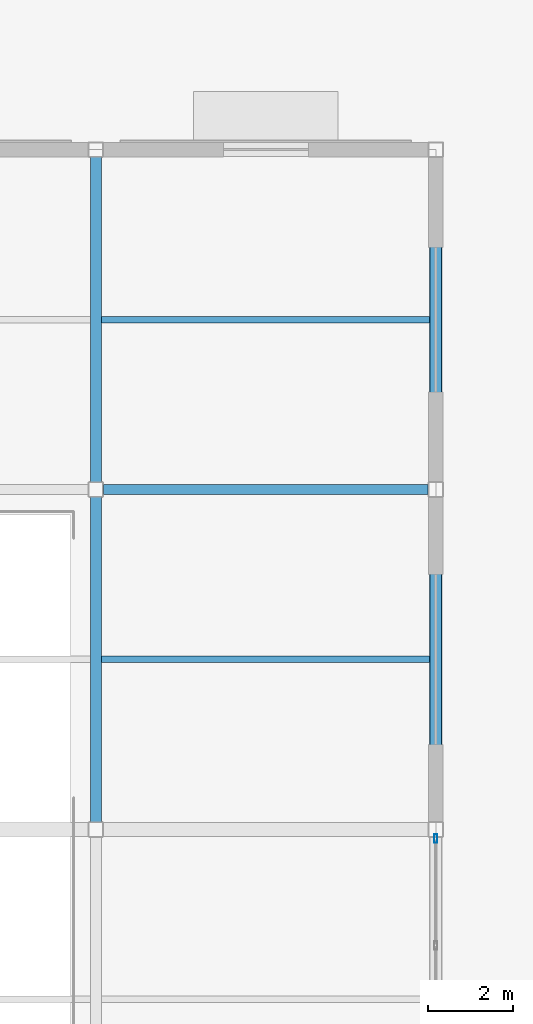
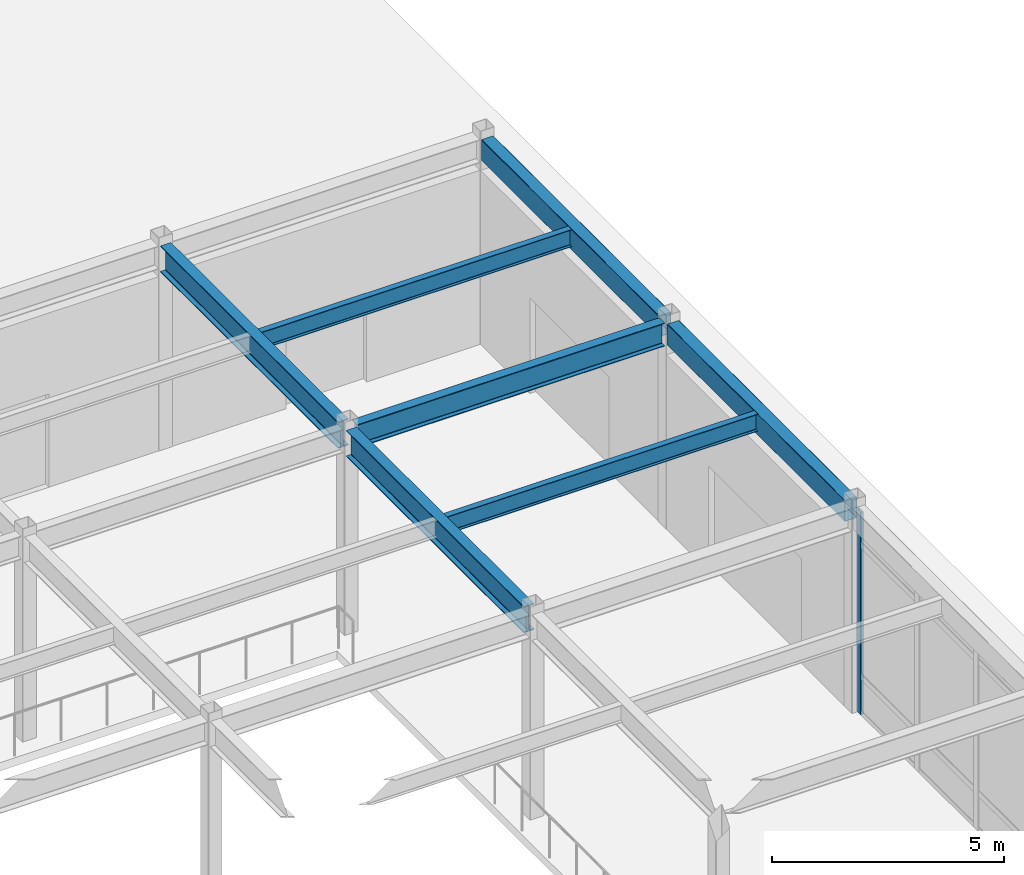
# One storey, part 80 of 128: 7 beams, 1 member, 1 element without a shape of its own.
"""IFC4 building model written with IfcOpenShell, lengths in metres."""

import ifcopenshell
import ifcopenshell.guid

model = None  # the IFC model being written
_history = None  # IfcOwnerHistory: only IFC2X3 demands one
_inside = {}  # id of a spatial element -> (the spatial element, [elements in it])
_under = {}  # id of a project, library or spatial element -> (it, [spatial elements below it])
_declared = {}  # id of a project -> (the project, [libraries it declares])
_typed = {}  # id of a type object -> (the type object, [elements of that type])
_made_of = {}  # id of a material, layer set ... -> (it, [elements and type objects made of it])


def new_model(schema):
    """Start an empty IFC model of exactly this schema.

    Asked for "IFC4X3", IfcOpenShell would pick the latest addendum, in which some entities
    have other attributes; the version numbers below select the first issue.
    IFC2X3 requires an IfcOwnerHistory on every rooted entity: one is made here for all.
    """
    global model, _history
    if schema == "IFC4X3":
        model = ifcopenshell.file(schema_version=(4, 3, 0, 0))
    else:
        model = ifcopenshell.file(schema=schema)
    _inside.clear()
    _under.clear()
    _declared.clear()
    _typed.clear()
    _made_of.clear()
    _history = None
    if model.schema == "IFC2X3":
        org = make("IfcOrganization", Name="unknown")
        user = make(
            "IfcPersonAndOrganization",
            ThePerson=make("IfcPerson", FamilyName="unknown"),
            TheOrganization=org,
        )
        app = make(
            "IfcApplication",
            ApplicationDeveloper=org,
            Version="unknown",
            ApplicationFullName="unknown",
            ApplicationIdentifier="unknown",
        )
        _history = make(
            "IfcOwnerHistory",
            OwningUser=user,
            OwningApplication=app,
            ChangeAction="ADDED",
            CreationDate=0,
        )
    return model


def make(cls, **values):
    """One entity of the class cls with the attributes given. An attribute that is None is left unset."""
    return model.create_entity(
        cls, **{name: value for name, value in values.items() if value is not None}
    )


def rooted(cls, **values):
    """An entity with a GlobalId (a new one), such as an element, a storey or a relation."""
    return make(cls, GlobalId=ifcopenshell.guid.new(), OwnerHistory=_history, **values)


def si_unit(unit_type, name, prefix=None):
    """IfcSIUnit, for example si_unit("LENGTHUNIT", "METRE", prefix="MILLI")."""
    return make("IfcSIUnit", UnitType=unit_type, Prefix=prefix, Name=name)


def assignment(units):
    """IfcUnitAssignment: the units of a project."""
    return None if units is None else make("IfcUnitAssignment", Units=units)


def point(xyz):
    """IfcCartesianPoint."""
    return None if xyz is None else make("IfcCartesianPoint", Coordinates=xyz)


def direction(xyz):
    """IfcDirection."""
    return None if xyz is None else make("IfcDirection", DirectionRatios=xyz)


def frame(location, z_axis=None, x_axis=None):
    """IfcAxis2Placement3D, a coordinate frame: its origin and axes. An axis left out is left unset."""
    return make(
        "IfcAxis2Placement3D",
        Location=point(location),
        Axis=direction(z_axis),
        RefDirection=direction(x_axis),
    )


def frame_2d(location, x_axis=None):
    """IfcAxis2Placement2D, a coordinate frame in the plane: its origin and x axis."""
    return make(
        "IfcAxis2Placement2D", Location=point(location), RefDirection=direction(x_axis)
    )


def origin():
    """The frame at (0, 0, 0) with its axes left unset."""
    return frame((0.0, 0.0, 0.0))


def origin_2d():
    """The frame at (0, 0) in the plane with its x axis left unset."""
    return frame_2d((0.0, 0.0))


def place(relative_to, where):
    """IfcLocalPlacement: puts the frame where relative to a parent placement (None: the world)."""
    return make(
        "IfcLocalPlacement", PlacementRelTo=relative_to, RelativePlacement=where
    )


def context(
    kind, dimensions, precision=None, world=None, true_north=None, identifier=None
):
    """IfcGeometricRepresentationContext, for example the 3D "Model" context."""
    return make(
        "IfcGeometricRepresentationContext",
        ContextIdentifier=identifier,
        ContextType=kind,
        CoordinateSpaceDimension=dimensions,
        Precision=precision,
        WorldCoordinateSystem=world,
        TrueNorth=true_north,
    )


def subcontext(parent, identifier, kind, view, scale=None):
    """IfcGeometricRepresentationSubContext, for example "Body" below "Model"."""
    return make(
        "IfcGeometricRepresentationSubContext",
        ContextIdentifier=identifier,
        ContextType=kind,
        ParentContext=parent,
        TargetScale=scale,
        TargetView=view,
    )


def project(units=None, contexts=None):
    """IfcProject with its units and contexts."""
    return rooted(
        "IfcProject",
        Name="project",
        RepresentationContexts=contexts,
        UnitsInContext=assignment(units),
    )


def spatial(cls, under=None, at=None, **own):
    """A site, building, storey or space (cls), placed at a placement, below another one or the project."""
    s = rooted(cls, ObjectPlacement=at, **own)
    if under is not None:
        _under.setdefault(under.id(), (under, []))[1].append(s)
    return s


def profile(cls, at=None, kind="AREA", **sizes):
    """A parametric profile (cls). Its sizes go by their IFC names, for example OverallWidth=200.0."""
    return make(cls, ProfileType=kind, Position=at, **sizes)


def hollow_rectangle(**sizes):
    """IfcRectangleHollowProfileDef."""
    return profile("IfcRectangleHollowProfileDef", **sizes)


def i_section(**sizes):
    """IfcIShapeProfileDef."""
    return profile("IfcIShapeProfileDef", **sizes)


def extrude(swept, where, along, depth):
    """IfcExtrudedAreaSolid: the profile swept, set in the frame where, extruded along a direction by depth."""
    return make(
        "IfcExtrudedAreaSolid",
        SweptArea=swept,
        Position=where,
        ExtrudedDirection=direction(along),
        Depth=depth,
    )


def shape(context_of_items, identifier, shape_type, items):
    """IfcShapeRepresentation: the items that make up one representation, for example the "Body"."""
    return make(
        "IfcShapeRepresentation",
        ContextOfItems=context_of_items,
        RepresentationIdentifier=identifier,
        RepresentationType=shape_type,
        Items=items,
    )


def material(Name=None, Category=None):
    """IfcMaterial."""
    return make("IfcMaterial", Name=Name, Category=Category)


def material_profile(
    of_material, cross_section, Name=None, Category=None, Priority=None
):
    """IfcMaterialProfile: a cross section and its material."""
    return make(
        "IfcMaterialProfile",
        Name=Name,
        Material=of_material,
        Profile=cross_section,
        Priority=Priority,
        Category=Category,
    )


def profile_set(profiles, Name=None, composite=None):
    """IfcMaterialProfileSet."""
    return make(
        "IfcMaterialProfileSet",
        Name=Name,
        MaterialProfiles=profiles,
        CompositeProfile=composite,
    )


def made_of(thing, what):
    """Note that an element or type object is made of a material, layer set ...; save() writes the relation."""
    if what is not None:
        _made_of.setdefault(what.id(), (what, []))[1].append(thing)
    return thing


def type_object(cls, material=None, **own):
    """A type object (cls), such as IfcWallType, which elements share."""
    return made_of(rooted(cls, **own), material)


def element(
    cls,
    number,
    at=None,
    inside=None,
    cuts=None,
    type_object=None,
    material=None,
    context=None,
    identifier="Body",
    shape_type=None,
    held_by="IfcProductDefinitionShape",
    body=None,
    shapes=None,
    **own,
):
    """One element of the class cls, such as IfcWall. Its Tag is "e" and its number.

    at: its placement. inside: the storey or other place that contains it. cuts: it is an
    opening in that element (IfcRelVoidsElement). A single representation is given by context,
    identifier, shape_type and body (its items); several are given by shapes. held_by: the class
    of the entity that holds the representations. save() writes the other relations.
    """
    e = rooted(cls, Tag="e%d" % number, ObjectPlacement=at, **own)
    if body is not None:
        shapes = [shape(context, identifier, shape_type, body)]
    if shapes is not None:
        e.Representation = make(held_by, Representations=shapes)
    if inside is not None:
        _inside.setdefault(inside.id(), (inside, []))[1].append(e)
    if cuts is not None:
        rooted(
            "IfcRelVoidsElement", RelatingBuildingElement=cuts, RelatedOpeningElement=e
        )
    if type_object is not None:
        _typed.setdefault(type_object.id(), (type_object, []))[1].append(e)
    return made_of(e, material)


def aggregate(whole, parts):
    """IfcRelAggregates: a whole, such as a stair, and the parts it consists of."""
    return rooted("IfcRelAggregates", RelatingObject=whole, RelatedObjects=parts)


def save(model, path):
    """Write the relations noted so far, then the file.

    IfcRelAggregates (storeys below a building ...), IfcRelContainedInSpatialStructure (elements
    in a storey), IfcRelDefinesByType, IfcRelAssociatesMaterial and IfcRelDeclares: one each for
    every whole, place, type object, material and project.
    """
    for whole, parts in _under.values():
        aggregate(whole, parts)
    for where, things in _inside.values():
        rooted(
            "IfcRelContainedInSpatialStructure",
            RelatedElements=things,
            RelatingStructure=where,
        )
    for kind, things in _typed.values():
        rooted("IfcRelDefinesByType", RelatedObjects=things, RelatingType=kind)
    for what, things in _made_of.values():
        rooted("IfcRelAssociatesMaterial", RelatedObjects=things, RelatingMaterial=what)
    for by, libraries in _declared.values():
        rooted("IfcRelDeclares", RelatingContext=by, RelatedDefinitions=libraries)
    model.write(path)


model = new_model("IFC4")

# Units and contexts
model_context = context("Model", 3, precision=1e-05, world=origin(), true_north=direction((0.0, 1.0)))
body_context = subcontext(model_context, "Body", "Model", "MODEL_VIEW")
ifc_project = project(units=[si_unit("LENGTHUNIT", "METRE"), si_unit("AREAUNIT", "SQUARE_METRE"), si_unit("VOLUMEUNIT", "CUBIC_METRE"), si_unit("PLANEANGLEUNIT", "RADIAN"), si_unit("MASSUNIT", "GRAM", prefix="KILO")], contexts=[model_context])

# Site, building, storey
site_placement = place(None, origin())
site = spatial("IfcSite", under=ifc_project, at=site_placement, CompositionType="ELEMENT")
building_placement = place(site_placement, origin())
building = spatial("IfcBuilding", under=site, at=building_placement, Name="Solmirada Galleria", CompositionType="ELEMENT")
storey_placement = place(building_placement, origin())
storey = spatial("IfcBuildingStorey", under=building, at=storey_placement, Name="L00", CompositionType="ELEMENT", Elevation=0.0)

# Beams
ifc_material_1 = material(Name="Steel S355 / ASTM A992 Grade 50", Category="steel")
ifc_material_profile_1 = material_profile(ifc_material_1, i_section(OverallWidth=0.22900390625, OverallDepth=0.612060546875, WebThickness=0.011962890625, FlangeThickness=0.01953125, FilletRadius=0.014892578125, at=origin_2d()), Name="W24X84")
ifc_profile_set_1 = profile_set([ifc_material_profile_1], Name="Steel S355 / ASTM A992 Grade 50")
beam_type_1 = type_object("IfcBeamType", Name="BM-GIRD-W24B", PredefinedType="BEAM", material=ifc_profile_set_1)
beam_placement = place(storey_placement, frame((168.177978515625, 24.0, 5.073974609375), z_axis=(1.0, 0.0, 0.0), x_axis=(0.0, 1.0, 0.0)))
element("IfcBeam", 1, at=beam_placement, inside=storey, type_object=beam_type_1, Name="Primary beam L01 X(168..176, 24)", PredefinedType="BEAM", context=body_context, shape_type="SweptSolid", body=[
    extrude(i_section(OverallWidth=0.22900390625, OverallDepth=0.612060546875, WebThickness=0.011962890625, FlangeThickness=0.01953125, FilletRadius=0.014892578125, at=origin_2d()), origin(), (0.0, 0.0, 1.0), 7.64404296875),
])
ifc_material_profile_2 = material_profile(ifc_material_1, i_section(OverallWidth=0.256103515625, OverallDepth=0.693115234375, WebThickness=0.014404296875, FlangeThickness=0.023681640625, FilletRadius=0.01806640625, at=origin_2d()), Name="W27X114")
ifc_profile_set_2 = profile_set([ifc_material_profile_2], Name="Steel S355 / ASTM A992 Grade 50")
beam_type_2 = type_object("IfcBeamType", Name="BM-GIRD-W27A", PredefinedType="BEAM", material=ifc_profile_set_2)
for number, where, z_axis, x_axis, name in (
    (2, (168.0, 16.177978515625, 5.033447265625), (0.0, 1.0, 0.0), (-1.0, 0.0, 0.0), "Primary girder L01 Y(168, 16..24)"),
    (3, (168.0, 24.177978515625, 5.033447265625), (0.0, 1.0, 0.0), (-1.0, 0.0, 0.0), "Primary girder L01 Y(168, 24..32)"),
):
    element("IfcBeam", number, at=place(storey_placement, frame(where, z_axis=z_axis, x_axis=x_axis)), inside=storey, type_object=beam_type_2, Name=name, PredefinedType="BEAM", context=body_context, shape_type="SweptSolid", body=[
        extrude(i_section(OverallWidth=0.256103515625, OverallDepth=0.693115234375, WebThickness=0.014404296875, FlangeThickness=0.023681640625, FilletRadius=0.01806640625, at=origin_2d()), origin(), (0.0, 0.0, 1.0), 7.64404296875),
    ])
ifc_material_profile_3 = material_profile(ifc_material_1, i_section(OverallWidth=0.153076171875, OverallDepth=0.455078125, WebThickness=0.008056640625, FlangeThickness=0.01318359375, FilletRadius=0.011962890625, at=origin_2d()), Name="W18X40")
ifc_profile_set_3 = profile_set([ifc_material_profile_3], Name="Steel S355 / ASTM A992 Grade 50")
beam_type_3 = type_object("IfcBeamType", Name="BM-JST-W18A", PredefinedType="JOIST", material=ifc_profile_set_3)
for number, where, z_axis, x_axis, name in (
    (4, (168.1279296875, 20.0, 5.152587890625), (1.0, 0.0, 0.0), (0.0, 1.0, 0.0), "Composite floor joist L01 (168..176, 20.0)"),
    (5, (168.1279296875, 28.0, 5.152587890625), (1.0, 0.0, 0.0), (0.0, 1.0, 0.0), "Composite floor joist L01 (168..176, 28.0)"),
):
    element("IfcBeam", number, at=place(storey_placement, frame(where, z_axis=z_axis, x_axis=x_axis)), inside=storey, type_object=beam_type_3, Name=name, PredefinedType="JOIST", context=body_context, shape_type="SweptSolid", body=[
        extrude(i_section(OverallWidth=0.153076171875, OverallDepth=0.455078125, WebThickness=0.008056640625, FlangeThickness=0.01318359375, FilletRadius=0.011962890625, at=origin_2d()), origin(), (0.0, 0.0, 1.0), 7.719482421875),
    ])
ifc_material_2 = material(Name="Steel S355 / ASTM A500 Grade C", Category="steel")
ifc_material_profile_4 = material_profile(ifc_material_2, hollow_rectangle(XDim=0.304931640625, YDim=0.55908203125, WallThickness=0.01171875, InnerFilletRadius=0.01171875, OuterFilletRadius=0.023681640625, at=origin_2d()), Name="HSS22X12X1/2")
ifc_profile_set_4 = profile_set([ifc_material_profile_4], Name="Steel S355 / ASTM A500 Grade C")
beam_type_4 = type_object("IfcBeamType", Name="BM-SPAND-W21", PredefinedType="SPANDREL", material=ifc_profile_set_4)
for number, where, z_axis, x_axis, name in (
    (6, (176.0, 16.177978515625, 5.1005859375), (0.0, 1.0, 0.0), (-1.0, 0.0, 0.0), "Primary girder L01 Y(176, 16..24)"),
    (7, (176.0, 24.177978515625, 5.1005859375), (0.0, 1.0, 0.0), (-1.0, 0.0, 0.0), "Primary girder L01 Y(176, 24..32)"),
):
    element("IfcBeam", number, at=place(storey_placement, frame(where, z_axis=z_axis, x_axis=x_axis)), inside=storey, type_object=beam_type_4, Name=name, PredefinedType="SPANDREL", context=body_context, shape_type="SweptSolid", body=[
        extrude(hollow_rectangle(XDim=0.304931640625, YDim=0.55908203125, WallThickness=0.01171875, InnerFilletRadius=0.01171875, OuterFilletRadius=0.023681640625, at=origin_2d()), origin(), (0.0, 0.0, 1.0), 7.64404296875),
    ])

# Curtain wall, member
ifc_material_3 = material(Name="Impact-resistant low-E double glazing", Category="glass")
curtain_wall_type = type_object("IfcCurtainWallType", Name="CW-FZ5-L00-B3-L076", PredefinedType="NOTDEFINED", material=ifc_material_3)
curtain_wall_placement = place(storey_placement, origin())
curtain_wall = element("IfcCurtainWall", 8, at=curtain_wall_placement, inside=storey, type_object=curtain_wall_type, Name="Terrace and arcade storefront CW-L00-023", PredefinedType="NOTDEFINED")
ifc_material_4 = material(Name="Anodised aluminium framing", Category="aluminium")
ifc_material_profile_5 = material_profile(ifc_material_4, hollow_rectangle(XDim=0.070068359375, YDim=0.199951171875, WallThickness=0.004150390625, InnerFilletRadius=0.004150390625, OuterFilletRadius=0.00830078125, at=origin_2d()), Name="ALU-MULL-200X70")
ifc_profile_set_5 = profile_set([ifc_material_profile_5], Name="Anodised aluminium framing")
member_type = type_object("IfcMemberType", Name="CW-MULL-200", PredefinedType="MULLION", material=ifc_profile_set_5)
member_placement = place(storey_placement, frame((176.0, 15.784912109375, 0.0), z_axis=(0.0, 0.0, 1.0), x_axis=(1.0, 0.0, 0.0)))
member = element("IfcMember", 9, at=member_placement, type_object=member_type, Name="CW09 mullion 1", PredefinedType="MULLION", context=body_context, shape_type="SweptSolid", body=[
    extrude(hollow_rectangle(XDim=0.070068359375, YDim=0.199951171875, WallThickness=0.004150390625, InnerFilletRadius=0.004150390625, OuterFilletRadius=0.00830078125, at=origin_2d()), origin(), (0.0, 0.0, 1.0), 5.320068359375),
])
aggregate(curtain_wall, [member])

save(model, "model.ifc")
